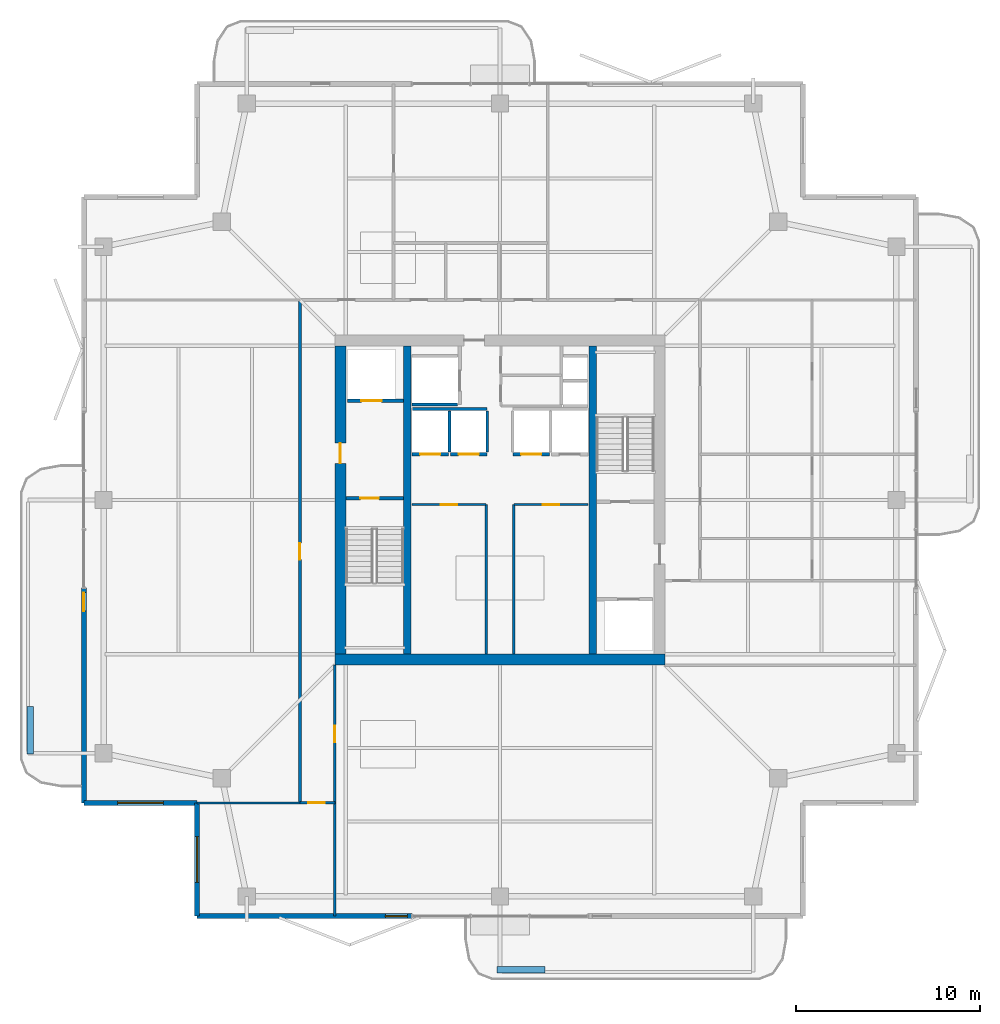
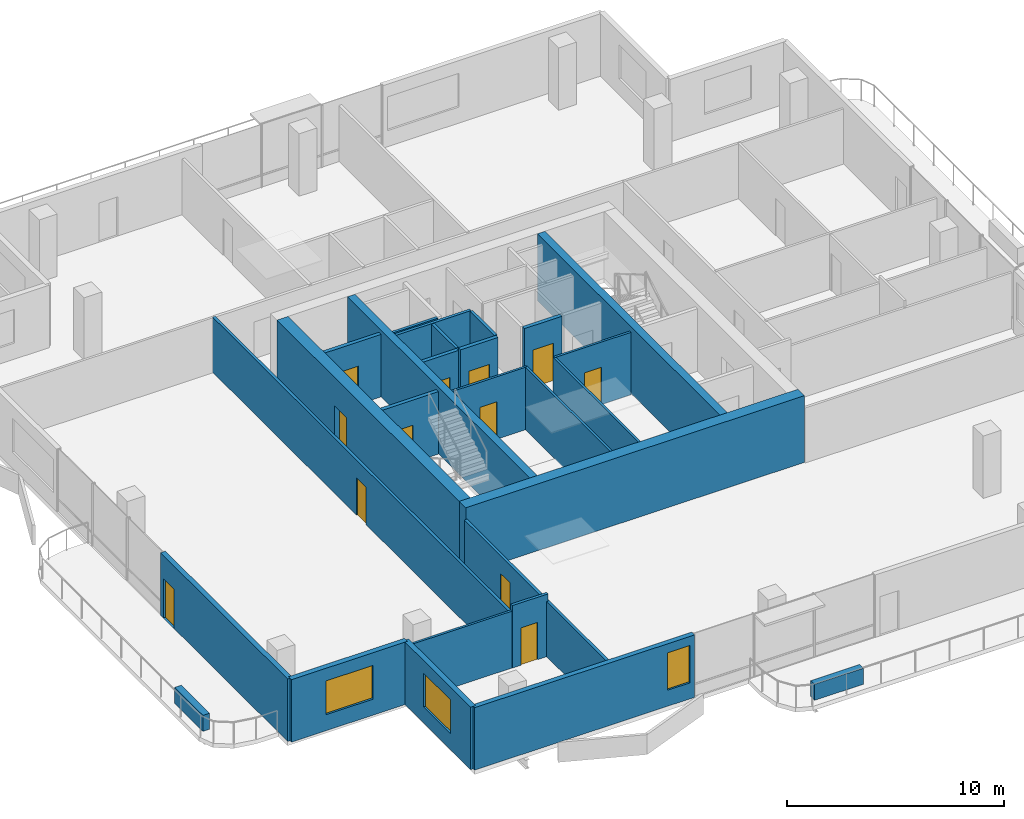
# One storey, part 12 of 18: 27 walls, 12 doors, 3 windows, 15 openings.
"""IFC4 building model written with IfcOpenShell, lengths in metres."""

from ifc_helpers import new_model, si_unit, direction, frame, frame_2d, origin, place, context, subcontext, project, spatial, rectangle, extrude, material, layer, layer_set, type_object, element, fill, save


model = new_model("IFC4")

# Units and contexts
model_context = context("Model", 3, precision=1e-05, world=origin(), true_north=direction((0.0, 1.0)))
body_context = subcontext(model_context, "Body", "Model", "MODEL_VIEW")
ifc_project = project(units=[si_unit("LENGTHUNIT", "METRE"), si_unit("AREAUNIT", "SQUARE_METRE"), si_unit("VOLUMEUNIT", "CUBIC_METRE"), si_unit("PLANEANGLEUNIT", "RADIAN"), si_unit("MASSUNIT", "GRAM", prefix="KILO")], contexts=[model_context])

# Site, building, storey
site_placement = place(None, origin())
site = spatial("IfcSite", under=ifc_project, at=site_placement, CompositionType="ELEMENT")
building_placement = place(site_placement, origin())
building = spatial("IfcBuilding", under=site, at=building_placement, Name="Belovzor Exchange Tower", CompositionType="ELEMENT")
storey_placement = place(building_placement, frame((0.0, 0.0, 318.0)))
storey = spatial("IfcBuildingStorey", under=building, at=storey_placement, Name="L79", CompositionType="ELEMENT", Elevation=318.0)

# Wall
ifc_material_1 = material(Name="Acoustic Plasterboard on Galvanised Studs", Category="gypsum")
ifc_layer_1 = layer(ifc_material_1, 0.1201171875)
ifc_layer_set_1 = layer_set([ifc_layer_1], Name="Acoustic Plasterboard on Galvanised Studs")
wall_type_1 = type_object("IfcWallType", Name="Acoustic Double-Stud Partition Wall 120", PredefinedType="PARTITIONING", material=ifc_layer_set_1)
wall_1_placement = place(storey_placement, frame((12.300048828125, 12.300048828125, 0.0), z_axis=(0.0, 0.0, 1.0), x_axis=(1.0, 0.0, 0.0)))
element("IfcWall", 1, at=wall_1_placement, inside=storey, type_object=wall_type_1, Name="W-P120 Partition Wall W-L79-SWS", PredefinedType="PARTITIONING", context=body_context, shape_type="SweptSolid", body=[
    extrude(rectangle(XDim=5.599853515625, YDim=0.1201171875, at=frame_2d((2.7998046875, 0.0))), origin(), (0.0, 0.0, 1.0), 3.195068359375),
])

# Wall, opening, door
ifc_material_2 = material(Name="Fire-Rated Plasterboard on Galvanised Studs", Category="gypsum")
ifc_layer_2 = layer(ifc_material_2, 0.1201171875)
ifc_layer_set_2 = layer_set([ifc_layer_2], Name="Fire-Rated Plasterboard on Galvanised Studs")
wall_type_2 = type_object("IfcWallType", Name="Fire-Rated Double-Stud Partition Wall 120", PredefinedType="PARTITIONING", material=ifc_layer_set_2)
wall_2_placement = place(storey_placement, frame((24.0, 28.550048828125, 0.0), z_axis=(0.0, 0.0, 1.0), x_axis=(1.0, 0.0, 0.0)))
wall_2 = element("IfcWall", 2, at=wall_2_placement, inside=storey, type_object=wall_type_2, Name="W-P120F Partition Wall W-CRWB-L79-N", PredefinedType="PARTITIONING", context=body_context, shape_type="SweptSolid", body=[
    extrude(rectangle(XDim=4.050048828125, YDim=0.1201171875, at=frame_2d((2.02490234375, 0.0))), origin(), (0.0, 0.0, 1.0), 3.510009765625),
])
opening_1_placement = place(wall_2_placement, frame((1.574951171875, 0.0, 0.0)))
opening_1 = element("IfcOpeningElement", 3, at=opening_1_placement, cuts=wall_2, Name="Opening D-FD60-090", PredefinedType="OPENING", context=body_context, shape_type="SweptSolid", body=[
    extrude(rectangle(XDim=0.89990234375, YDim=2.10009765625, at=frame_2d((0.449951171875, 1.050048828125))), frame((0.0, 0.070068359375, 0.0), z_axis=(0.0, -1.0, 0.0), x_axis=(1.0, 0.0, 0.0)), (0.0, 0.0, 1.0), 0.14013671875),
])
ifc_material_3 = material(Name="Acoustic Timber Fire Leaf", Category="wood")
door_type_1 = type_object("IfcDoorType", Name="Core Service & Restroom Fire Door 900x2100", OperationType="NOTDEFINED", PredefinedType="DOOR", material=ifc_material_3)
door_1_placement = place(opening_1_placement, origin())
door_1 = element("IfcDoor", 4, at=door_1_placement, inside=storey, type_object=door_type_1, Name="D-FD60-090 Core Service & Restroom Fire Door 900x2100", OperationType="SINGLE_SWING_LEFT", OverallHeight=2.10009765625, OverallWidth=0.89990234375, PredefinedType="DOOR", context=body_context, shape_type="SweptSolid", body=[
    extrude(rectangle(XDim=0.89990234375, YDim=2.10009765625, at=frame_2d((0.449951171875, 1.050048828125))), frame((0.0, 0.02490234375, 0.0), z_axis=(0.0, -1.0, 0.0), x_axis=(1.0, 0.0, 0.0)), (0.0, 0.0, 1.0), 0.050048828125),
])
fill(opening_1, door_1)

# Wall
wall_3_placement = place(storey_placement, frame((28.050048828125, 20.39990234375, 0.0), z_axis=(0.0, 0.0, 1.0), x_axis=(0.0, 1.0, 0.0)))
element("IfcWall", 5, at=wall_3_placement, inside=storey, type_object=wall_type_2, Name="W-P120F Partition Wall W-CRWB-L79-E", PredefinedType="PARTITIONING", context=body_context, shape_type="SweptSolid", body=[
    extrude(rectangle(XDim=8.150146484375, YDim=0.1201171875, at=frame_2d((4.0751953125, 0.0))), origin(), (0.0, 0.0, 1.0), 3.510009765625),
])

# Wall, opening, door
wall_4_placement = place(storey_placement, frame((29.550048828125, 28.550048828125, 0.0), z_axis=(0.0, 0.0, 1.0), x_axis=(1.0, 0.0, 0.0)))
wall_4 = element("IfcWall", 6, at=wall_4_placement, inside=storey, type_object=wall_type_2, Name="W-P120F Partition Wall W-CREB-L79-N", PredefinedType="PARTITIONING", context=body_context, shape_type="SweptSolid", body=[
    extrude(rectangle(XDim=4.050048828125, YDim=0.1201171875, at=frame_2d((2.02490234375, 0.0))), origin(), (0.0, 0.0, 1.0), 3.510009765625),
])
opening_2_placement = place(wall_4_placement, frame((1.574951171875, 0.0, 0.0)))
opening_2 = element("IfcOpeningElement", 7, at=opening_2_placement, cuts=wall_4, Name="Opening D-FD60-090", PredefinedType="OPENING", context=body_context, shape_type="SweptSolid", body=[
    extrude(rectangle(XDim=0.89990234375, YDim=2.10009765625, at=frame_2d((0.449951171875, 1.050048828125))), frame((0.0, 0.070068359375, 0.0), z_axis=(0.0, -1.0, 0.0), x_axis=(1.0, 0.0, 0.0)), (0.0, 0.0, 1.0), 0.14013671875),
])
door_2_placement = place(opening_2_placement, origin())
door_2 = element("IfcDoor", 8, at=door_2_placement, inside=storey, type_object=door_type_1, Name="D-FD60-090 Core Service & Restroom Fire Door 900x2100", OperationType="SINGLE_SWING_RIGHT", OverallHeight=2.10009765625, OverallWidth=0.89990234375, PredefinedType="DOOR", context=body_context, shape_type="SweptSolid", body=[
    extrude(rectangle(XDim=0.89990234375, YDim=2.10009765625, at=frame_2d((0.449951171875, 1.050048828125))), frame((0.0, 0.02490234375, 0.0), z_axis=(0.0, -1.0, 0.0), x_axis=(1.0, 0.0, 0.0)), (0.0, 0.0, 1.0), 0.050048828125),
])
fill(opening_2, door_2)

# Wall
wall_5_placement = place(storey_placement, frame((29.550048828125, 20.39990234375, 0.0), z_axis=(0.0, 0.0, 1.0), x_axis=(0.0, 1.0, 0.0)))
element("IfcWall", 9, at=wall_5_placement, inside=storey, type_object=wall_type_2, Name="W-P120F Partition Wall W-CREB-L79-W", PredefinedType="PARTITIONING", context=body_context, shape_type="SweptSolid", body=[
    extrude(rectangle(XDim=8.150146484375, YDim=0.1201171875, at=frame_2d((4.0751953125, 0.0))), origin(), (0.0, 0.0, 1.0), 3.510009765625),
])

# Wall, opening, door
ifc_material_4 = material(Name="Fire-Rated Gypsum Block and Mineral Wool", Category="gypsum")
ifc_layer_3 = layer(ifc_material_4, 0.14990234375)
ifc_layer_set_3 = layer_set([ifc_layer_3], Name="Fire-Rated Gypsum Block and Mineral Wool")
wall_type_3 = type_object("IfcWallType", Name="Fire-Rated Gypsum Block Corridor Wall 150", PredefinedType="PARTITIONING", material=ifc_layer_set_3)
wall_6_placement = place(storey_placement, frame((17.89990234375, 12.300048828125, 0.0), z_axis=(0.0, 0.0, 1.0), x_axis=(1.0, 0.0, 0.0)))
wall_6 = element("IfcWall", 10, at=wall_6_placement, inside=storey, type_object=wall_type_3, Name="W-P150 Partition Wall W-L79-CW-END", PredefinedType="PARTITIONING", context=body_context, shape_type="SweptSolid", body=[
    extrude(rectangle(XDim=1.900146484375, YDim=0.14990234375, at=frame_2d((0.9501953125, 0.0))), origin(), (0.0, 0.0, 1.0), 3.510009765625),
])
opening_3_placement = place(wall_6_placement, frame((0.449951171875, 0.0, 0.0)))
opening_3 = element("IfcOpeningElement", 11, at=opening_3_placement, cuts=wall_6, Name="Opening D-FD60-090", PredefinedType="OPENING", context=body_context, shape_type="SweptSolid", body=[
    extrude(rectangle(XDim=0.89990234375, YDim=2.10009765625, at=frame_2d((0.449951171875, 1.050048828125))), frame((0.0, 0.0849609375, 0.0), z_axis=(0.0, -1.0, 0.0), x_axis=(1.0, 0.0, 0.0)), (0.0, 0.0, 1.0), 0.169921875),
])
door_3_placement = place(opening_3_placement, origin())
door_3 = element("IfcDoor", 12, at=door_3_placement, inside=storey, type_object=door_type_1, Name="D-FD60-090 Core Service & Restroom Fire Door 900x2100", OperationType="SINGLE_SWING_LEFT", OverallHeight=2.10009765625, OverallWidth=0.89990234375, PredefinedType="DOOR", context=body_context, shape_type="SweptSolid", body=[
    extrude(rectangle(XDim=0.89990234375, YDim=2.10009765625, at=frame_2d((0.449951171875, 1.050048828125))), frame((0.0, 0.02490234375, 0.0), z_axis=(0.0, -1.0, 0.0), x_axis=(1.0, 0.0, 0.0)), (0.0, 0.0, 1.0), 0.050048828125),
])
fill(opening_3, door_3)

wall_7_placement = place(storey_placement, frame((19.800048828125, 6.1298828125, 0.0), z_axis=(0.0, 0.0, 1.0), x_axis=(0.0, 1.0, 0.0)))
wall_7 = element("IfcWall", 13, at=wall_7_placement, inside=storey, type_object=wall_type_3, Name="W-P150 Partition Wall W-L79-CW-E", PredefinedType="PARTITIONING", context=body_context, shape_type="SweptSolid", body=[
    extrude(rectangle(XDim=13.670166015625, YDim=0.14990234375, at=frame_2d((6.8349609375, 0.0))), origin(), (0.0, 0.0, 1.0), 3.094970703125),
])
opening_4_placement = place(wall_7_placement, frame((9.469970703125, 0.0, 0.0)))
opening_4 = element("IfcOpeningElement", 14, at=opening_4_placement, cuts=wall_7, Name="Opening D-FD60-090", PredefinedType="OPENING", context=body_context, shape_type="SweptSolid", body=[
    extrude(rectangle(XDim=0.89990234375, YDim=2.10009765625, at=frame_2d((0.449951171875, 1.050048828125))), frame((0.0, 0.0849609375, 0.0), z_axis=(0.0, -1.0, 0.0), x_axis=(1.0, 0.0, 0.0)), (0.0, 0.0, 1.0), 0.169921875),
])
door_4_placement = place(opening_4_placement, origin())
door_4 = element("IfcDoor", 15, at=door_4_placement, inside=storey, type_object=door_type_1, Name="D-FD60-090 Core Service & Restroom Fire Door 900x2100", OperationType="SINGLE_SWING_RIGHT", OverallHeight=2.10009765625, OverallWidth=0.89990234375, PredefinedType="DOOR", context=body_context, shape_type="SweptSolid", body=[
    extrude(rectangle(XDim=0.89990234375, YDim=2.10009765625, at=frame_2d((0.449951171875, 1.050048828125))), frame((0.0, 0.02490234375, 0.0), z_axis=(0.0, -1.0, 0.0), x_axis=(1.0, 0.0, 0.0)), (0.0, 0.0, 1.0), 0.050048828125),
])
fill(opening_4, door_4)

wall_8_placement = place(storey_placement, frame((17.89990234375, 12.300048828125, 0.0), z_axis=(0.0, 0.0, 1.0), x_axis=(0.0, 1.0, 0.0)))
wall_8 = element("IfcWall", 16, at=wall_8_placement, inside=storey, type_object=wall_type_3, Name="W-P150 Partition Wall W-L79-CW", PredefinedType="PARTITIONING", context=body_context, shape_type="SweptSolid", body=[
    extrude(rectangle(XDim=27.39990234375, YDim=0.14990234375, at=frame_2d((13.699951171875, 0.0))), origin(), (0.0, 0.0, 1.0), 3.094970703125),
])
opening_5_placement = place(wall_8_placement, frame((13.25, 0.0, 0.0)))
opening_5 = element("IfcOpeningElement", 17, at=opening_5_placement, cuts=wall_8, Name="Opening D-INT-090", PredefinedType="OPENING", context=body_context, shape_type="SweptSolid", body=[
    extrude(rectangle(XDim=0.89990234375, YDim=2.10009765625, at=frame_2d((0.449951171875, 1.050048828125))), frame((0.0, 0.0849609375, 0.0), z_axis=(0.0, -1.0, 0.0), x_axis=(1.0, 0.0, 0.0)), (0.0, 0.0, 1.0), 0.169921875),
])
ifc_material_5 = material(Name="Veneered Hardwood Acoustic Leaf", Category="wood")
door_type_2 = type_object("IfcDoorType", Name="Trading Suite Acoustic Single Door 900x2100", OperationType="NOTDEFINED", PredefinedType="DOOR", material=ifc_material_5)
door_5_placement = place(opening_5_placement, origin())
door_5 = element("IfcDoor", 18, at=door_5_placement, inside=storey, type_object=door_type_2, Name="D-INT-090 Trading Suite Acoustic Single Door 900x2100", OperationType="SINGLE_SWING_RIGHT", OverallHeight=2.10009765625, OverallWidth=0.89990234375, PredefinedType="DOOR", context=body_context, shape_type="SweptSolid", body=[
    extrude(rectangle(XDim=0.89990234375, YDim=2.10009765625, at=frame_2d((0.449951171875, 1.050048828125))), frame((0.0, 0.02490234375, 0.0), z_axis=(0.0, -1.0, 0.0), x_axis=(1.0, 0.0, 0.0)), (0.0, 0.0, 1.0), 0.050048828125),
])
fill(opening_5, door_5)

# Wall, opening, window
ifc_material_6 = material(Name="Precast concrete C40/50", Category="concrete")
ifc_layer_4 = layer(ifc_material_6, 0.280029296875)
ifc_layer_set_4 = layer_set([ifc_layer_4], Name="Precast concrete C40/50")
wall_type_4 = type_object("IfcWallType", Name="Precast Concrete Notched Corner Frame Wall 280", PredefinedType="SOLIDWALL", material=ifc_layer_set_4)
wall_9_placement = place(storey_placement, frame((12.300048828125, 6.1298828125, 0.0), z_axis=(0.0, 0.0, 1.0), x_axis=(0.0, 1.0, 0.0)))
wall_9 = element("IfcWall", 19, at=wall_9_placement, inside=storey, type_object=wall_type_4, Name="W-CRN280 Precast Concrete Notched Corner Frame Wall 280 L79", PredefinedType="SOLIDWALL", context=body_context, shape_type="SweptSolid", body=[
    extrude(rectangle(XDim=6.170166015625, YDim=0.280029296875, at=frame_2d((3.0849609375, 0.0))), origin(), (0.0, 0.0, 1.0), 3.510009765625),
])
opening_6_placement = place(wall_9_placement, frame((1.8349609375, 0.0, 0.89990234375)))
opening_6 = element("IfcOpeningElement", 20, at=opening_6_placement, cuts=wall_9, Name="Opening WN-CRN250", PredefinedType="OPENING", context=body_context, shape_type="SweptSolid", body=[
    extrude(rectangle(XDim=2.5, YDim=1.89990234375, at=frame_2d((1.25, 0.949951171875))), frame((0.0, 0.14990234375, 0.0), z_axis=(0.0, -1.0, 0.0), x_axis=(1.0, 0.0, 0.0)), (0.0, 0.0, 1.0), 0.300048828125),
])
ifc_material_7 = material(Name="Thermally Broken Aluminium and Triple Glazing", Category="aluminium")
window_type_1 = type_object("IfcWindowType", Name="Streamline Moderne Corner Wrap Ribbon Window 2500x1900", PartitioningType="SINGLE_PANEL", PredefinedType="WINDOW", material=ifc_material_7)
window_1_placement = place(opening_6_placement, origin())
window_1 = element("IfcWindow", 21, at=window_1_placement, inside=storey, type_object=window_type_1, Name="WN-CRN250 Streamline Moderne Corner Wrap Ribbon Window 2500x1900", OverallHeight=1.89990234375, OverallWidth=2.5, PartitioningType="SINGLE_PANEL", PredefinedType="WINDOW", context=body_context, shape_type="SweptSolid", body=[
    extrude(rectangle(XDim=2.5, YDim=1.89990234375, at=frame_2d((1.25, 0.949951171875))), frame((0.0, 0.030029296875, 0.0), z_axis=(0.0, -1.0, 0.0), x_axis=(1.0, 0.0, 0.0)), (0.0, 0.0, 1.0), 0.06005859375),
])
fill(opening_6, window_1)

wall_10_placement = place(storey_placement, frame((12.300048828125, 12.300048828125, 0.0), z_axis=(0.0, 0.0, 1.0), x_axis=(-1.0, 0.0, 0.0)))
wall_10 = element("IfcWall", 22, at=wall_10_placement, inside=storey, type_object=wall_type_4, Name="W-CRN280 Precast Concrete Notched Corner Frame Wall 280 L79", PredefinedType="SOLIDWALL", context=body_context, shape_type="SweptSolid", body=[
    extrude(rectangle(XDim=6.170166015625, YDim=0.280029296875, at=frame_2d((3.0849609375, 0.0))), origin(), (0.0, 0.0, 1.0), 3.510009765625),
])
opening_7_placement = place(wall_10_placement, frame((1.8349609375, 0.0, 0.89990234375)))
opening_7 = element("IfcOpeningElement", 23, at=opening_7_placement, cuts=wall_10, Name="Opening WN-CRN250", PredefinedType="OPENING", context=body_context, shape_type="SweptSolid", body=[
    extrude(rectangle(XDim=2.5, YDim=1.89990234375, at=frame_2d((1.25, 0.949951171875))), frame((0.0, 0.14990234375, 0.0), z_axis=(0.0, -1.0, 0.0), x_axis=(1.0, 0.0, 0.0)), (0.0, 0.0, 1.0), 0.300048828125),
])
window_2_placement = place(opening_7_placement, origin())
window_2 = element("IfcWindow", 24, at=window_2_placement, inside=storey, type_object=window_type_1, Name="WN-CRN250 Streamline Moderne Corner Wrap Ribbon Window 2500x1900", OverallHeight=1.89990234375, OverallWidth=2.5, PartitioningType="SINGLE_PANEL", PredefinedType="WINDOW", context=body_context, shape_type="SweptSolid", body=[
    extrude(rectangle(XDim=2.5, YDim=1.89990234375, at=frame_2d((1.25, 0.949951171875))), frame((0.0, 0.030029296875, 0.0), z_axis=(0.0, -1.0, 0.0), x_axis=(1.0, 0.0, 0.0)), (0.0, 0.0, 1.0), 0.06005859375),
])
fill(opening_7, window_2)

ifc_material_8 = material(Name="Precast concrete C40/50", Category="concrete")
ifc_layer_5 = layer(ifc_material_8, 0.260009765625)
ifc_layer_set_5 = layer_set([ifc_layer_5], Name="Precast concrete C40/50")
wall_type_5 = type_object("IfcWallType", Name="Precast Concrete Perimeter Loggia Frame Wall 260", PredefinedType="SOLIDWALL", material=ifc_layer_set_5)
wall_11_placement = place(storey_placement, frame((24.0, 6.1298828125, 0.0), z_axis=(0.0, 0.0, 1.0), x_axis=(-1.0, 0.0, 0.0)))
wall_11 = element("IfcWall", 25, at=wall_11_placement, inside=storey, type_object=wall_type_5, Name="W-EXT260 Precast Concrete Perimeter Loggia Frame Wall 260 L79", PredefinedType="SOLIDWALL", context=body_context, shape_type="SweptSolid", body=[
    extrude(rectangle(XDim=11.699951171875, YDim=0.260009765625, at=frame_2d((5.85009765625, 0.0))), origin(), (0.0, 0.0, 1.0), 3.510009765625),
])
opening_8_placement = place(wall_11_placement, frame((0.25, 0.0, 0.89990234375)))
opening_8 = element("IfcOpeningElement", 26, at=opening_8_placement, cuts=wall_11, Name="Opening WN-CRN120", PredefinedType="OPENING", context=body_context, shape_type="SweptSolid", body=[
    extrude(rectangle(XDim=1.199951171875, YDim=2.10009765625, at=frame_2d((0.60009765625, 1.050048828125))), frame((0.0, 0.139892578125, 0.0), z_axis=(0.0, -1.0, 0.0), x_axis=(1.0, 0.0, 0.0)), (0.0, 0.0, 1.0), 0.280029296875),
])
ifc_material_9 = material(Name="Thermally Broken Aluminium and Triple Glazing", Category="aluminium")
window_type_2 = type_object("IfcWindowType", Name="Streamline Notched Corner Window 1200x2100", PartitioningType="SINGLE_PANEL", PredefinedType="WINDOW", material=ifc_material_9)
window_3_placement = place(opening_8_placement, origin())
window_3 = element("IfcWindow", 27, at=window_3_placement, inside=storey, type_object=window_type_2, Name="WN-CRN120 Streamline Notched Corner Window 1200x2100", OverallHeight=2.10009765625, OverallWidth=1.199951171875, PartitioningType="SINGLE_PANEL", PredefinedType="WINDOW", context=body_context, shape_type="SweptSolid", body=[
    extrude(rectangle(XDim=1.199951171875, YDim=2.10009765625, at=frame_2d((0.60009765625, 1.050048828125))), frame((0.0, 0.030029296875, 0.0), z_axis=(0.0, -1.0, 0.0), x_axis=(1.0, 0.0, 0.0)), (0.0, 0.0, 1.0), 0.06005859375),
])
fill(opening_8, window_3)

# Wall, opening, door
wall_12_placement = place(storey_placement, frame((6.1298828125, 12.300048828125, 0.0), z_axis=(0.0, 0.0, 1.0), x_axis=(0.0, 1.0, 0.0)))
wall_12 = element("IfcWall", 28, at=wall_12_placement, inside=storey, type_object=wall_type_5, Name="W-EXT260 Precast Concrete Perimeter Loggia Frame Wall 260 L79", PredefinedType="SOLIDWALL", context=body_context, shape_type="SweptSolid", body=[
    extrude(rectangle(XDim=11.699951171875, YDim=0.260009765625, at=frame_2d((5.85009765625, 0.0))), origin(), (0.0, 0.0, 1.0), 3.510009765625),
])
opening_9_placement = place(wall_12_placement, frame((10.449951171875, 0.0, 0.0)))
opening_9 = element("IfcOpeningElement", 29, at=opening_9_placement, cuts=wall_12, Name="Opening D-BAL100", PredefinedType="OPENING", context=body_context, shape_type="SweptSolid", body=[
    extrude(rectangle(XDim=1.0, YDim=2.199951171875, at=frame_2d((0.5, 1.10009765625))), frame((0.0, 0.139892578125, 0.0), z_axis=(0.0, -1.0, 0.0), x_axis=(1.0, 0.0, 0.0)), (0.0, 0.0, 1.0), 0.280029296875),
])
ifc_material_10 = material(Name="Thermally Broken Anodised Aluminium and Laminated Glass", Category="aluminium")
door_type_3 = type_object("IfcDoorType", Name="Planted Loggia Terrace Glazed Door 1000x2200", OperationType="SINGLE_SWING_LEFT", PredefinedType="DOOR", material=ifc_material_10)
door_6_placement = place(opening_9_placement, origin())
door_6 = element("IfcDoor", 30, at=door_6_placement, inside=storey, type_object=door_type_3, Name="D-BAL100 Balcony Terrace Door L79 W", OperationType="SINGLE_SWING_RIGHT", OverallHeight=2.199951171875, OverallWidth=1.0, PredefinedType="DOOR", context=body_context, shape_type="SweptSolid", body=[
    extrude(rectangle(XDim=1.0, YDim=2.199951171875, at=frame_2d((0.5, 1.10009765625))), frame((0.0, 0.02490234375, 0.0), z_axis=(0.0, -1.0, 0.0), x_axis=(1.0, 0.0, 0.0)), (0.0, 0.0, 1.0), 0.050048828125),
])
fill(opening_9, door_6)

# Walls
ifc_material_11 = material(Name="Precast concrete C40/50", Category="concrete")
ifc_layer_6 = layer(ifc_material_11, 0.35009765625)
ifc_layer_set_6 = layer_set([ifc_layer_6], Name="Precast concrete C40/50")
wall_type_6 = type_object("IfcWallType", Name="Precast Concrete Structural Tree Planter Trough 350", PredefinedType="PARAPET", material=ifc_layer_set_6)
for number, where, z_axis, x_axis, name in (
    (31, (28.64990234375, 3.199951171875, 0.0), (0.0, 0.0, 1.0), (1.0, 0.0, 0.0), "PT-350 Precast Concrete Structural Tree Planter Trough 350 L79"),
    (32, (3.199951171875, 14.949951171875, 0.0), (0.0, 0.0, 1.0), (0.0, 1.0, 0.0), "PT-350 Precast Concrete Structural Tree Planter Trough 350 L79"),
):
    element("IfcWall", number, at=place(storey_placement, frame(where, z_axis=z_axis, x_axis=x_axis)), inside=storey, type_object=wall_type_6, Name=name, PredefinedType="PARAPET", context=body_context, shape_type="SweptSolid", body=[
        extrude(rectangle(XDim=2.60009765625, YDim=0.35009765625, at=frame_2d((1.300048828125, 0.0))), origin(), (0.0, 0.0, 1.0), 0.89990234375),
    ])
ifc_material_12 = material(Name="Concrete C50/60", Category="concrete")
ifc_layer_7 = layer(ifc_material_12, 0.39990234375)
ifc_layer_set_7 = layer_set([ifc_layer_7], Name="Concrete C50/60")
wall_type_7 = type_object("IfcWallType", Name="Reinforced Concrete Core Internal Web Wall 400", PredefinedType="SHEAR", material=ifc_layer_set_7)
for number, where, z_axis, x_axis, name in (
    (33, (23.75, 20.39990234375, 0.0), (0.0, 0.0, 1.0), (0.0, 1.0, 0.0), "CW-W040 Core Internal Web Wall L79 WL"),
    (34, (33.85009765625, 20.39990234375, 0.0), (0.0, 0.0, 1.0), (0.0, 1.0, 0.0), "CW-W040 Core Internal Web Wall L79 ER"),
):
    element("IfcWall", number, at=place(storey_placement, frame(where, z_axis=z_axis, x_axis=x_axis)), inside=storey, type_object=wall_type_7, Name=name, PredefinedType="SHEAR", context=body_context, shape_type="SweptSolid", body=[
        extrude(rectangle(XDim=16.800048828125, YDim=0.39990234375, at=frame_2d((8.39990234375, 0.0))), origin(), (0.0, 0.0, 1.0), 3.75),
    ])
ifc_material_13 = material(Name="Concrete C50/60", Category="concrete")
ifc_layer_8 = layer(ifc_material_13, 0.14990234375)
ifc_layer_set_8 = layer_set([ifc_layer_8], Name="Concrete C50/60")
wall_type_8 = type_object("IfcWallType", Name="Reinforced Concrete Core Riser Shear Wall 150", PredefinedType="SHEAR", material=ifc_layer_set_8)
wall_13_placement = place(storey_placement, frame((24.0, 34.0, 0.0), z_axis=(0.0, 0.0, 1.0), x_axis=(1.0, 0.0, 0.0)))
element("IfcWall", 35, at=wall_13_placement, inside=storey, type_object=wall_type_8, Name="W-C150S Core Shaft Wall W-SH-L79-SL-01S", PredefinedType="SHEAR", context=body_context, shape_type="SweptSolid", body=[
    extrude(rectangle(XDim=2.47998046875, YDim=0.14990234375, at=frame_2d((1.239990234375, 0.0))), origin(), (0.0, 0.0, 1.0), 3.510009765625),
])
wall_14_placement = place(storey_placement, frame((24.02001953125, 33.760009765625, 0.0), z_axis=(0.0, 0.0, 1.0), x_axis=(1.0, 0.0, 0.0)))
element("IfcWall", 36, at=wall_14_placement, inside=storey, type_object=wall_type_8, Name="W-C150S Core Shaft Wall W-SHB-L79-PLH-NW", PredefinedType="SHEAR", context=body_context, shape_type="SweptSolid", body=[
    extrude(rectangle(XDim=4.080078125, YDim=0.14990234375, at=frame_2d((2.0400390625, 0.0))), origin(), (0.0, 0.0, 1.0), 3.510009765625),
])
for number, where, z_axis, x_axis, name in (
    (37, (26.050048828125, 31.419921875, 0.0), (0.0, 0.0, 1.0), (0.0, 1.0, 0.0), "W-C150S Core Shaft Wall W-SHD-L79-PLH-1"),
    (38, (28.10009765625, 31.419921875, 0.0), (0.0, 0.0, 1.0), (0.0, 1.0, 0.0), "W-C150S Core Shaft Wall W-SHD-L79-PLH-2"),
):
    element("IfcWall", number, at=place(storey_placement, frame(where, z_axis=z_axis, x_axis=x_axis)), inside=storey, type_object=wall_type_8, Name=name, PredefinedType="SHEAR", context=body_context, shape_type="SweptSolid", body=[
        extrude(rectangle(XDim=2.239990234375, YDim=0.14990234375, at=frame_2d((1.1201171875, 0.0))), origin(), (0.0, 0.0, 1.0), 3.510009765625),
    ])

# Wall, opening, door
ifc_material_14 = material(Name="Concrete C50/60", Category="concrete")
ifc_layer_9 = layer(ifc_material_14, 0.199951171875)
ifc_layer_set_9 = layer_set([ifc_layer_9], Name="Concrete C50/60")
wall_type_9 = type_object("IfcWallType", Name="Reinforced Concrete Core Shaft Shear Wall 200", PredefinedType="SHEAR", material=ifc_layer_set_9)
wall_15_placement = place(storey_placement, frame((20.39990234375, 28.89990234375, 0.0), z_axis=(0.0, 0.0, 1.0), x_axis=(1.0, 0.0, 0.0)))
wall_15 = element("IfcWall", 39, at=wall_15_placement, inside=storey, type_object=wall_type_9, Name="W-C200S Core Shaft Wall W-CORE-L79-FFLW1", PredefinedType="SHEAR", context=body_context, shape_type="SweptSolid", body=[
    extrude(rectangle(XDim=3.150146484375, YDim=0.199951171875, at=frame_2d((1.5751953125, 0.0))), origin(), (0.0, 0.0, 1.0), 3.510009765625),
])
opening_10_placement = place(wall_15_placement, frame((0.800048828125, 0.0, 0.0)))
opening_10 = element("IfcOpeningElement", 40, at=opening_10_placement, cuts=wall_15, Name="Opening D-FD90-100", PredefinedType="OPENING", context=body_context, shape_type="SweptSolid", body=[
    extrude(rectangle(XDim=1.0, YDim=2.10009765625, at=frame_2d((0.5, 1.050048828125))), frame((0.0, 0.10986328125, 0.0), z_axis=(0.0, -1.0, 0.0), x_axis=(1.0, 0.0, 0.0)), (0.0, 0.0, 1.0), 0.219970703125),
])
ifc_material_15 = material(Name="Fire-Rated Galvanised Steel Leaf", Category="steel")
door_type_4 = type_object("IfcDoorType", Name="Protected Stairwell Single Fire Door 1000x2100", OperationType="NOTDEFINED", PredefinedType="DOOR", material=ifc_material_15)
door_7_placement = place(opening_10_placement, origin())
door_7 = element("IfcDoor", 41, at=door_7_placement, inside=storey, type_object=door_type_4, Name="D-FD90-100 Protected Stairwell Single Fire Door 1000x2100", OperationType="SINGLE_SWING_RIGHT", OverallHeight=2.10009765625, OverallWidth=1.0, PredefinedType="DOOR", context=body_context, shape_type="SweptSolid", body=[
    extrude(rectangle(XDim=1.0, YDim=2.10009765625, at=frame_2d((0.5, 1.050048828125))), frame((0.0, 0.02490234375, 0.0), z_axis=(0.0, -1.0, 0.0), x_axis=(1.0, 0.0, 0.0)), (0.0, 0.0, 1.0), 0.050048828125),
])
fill(opening_10, door_7)

wall_16_placement = place(storey_placement, frame((20.5, 34.199951171875, 0.0), z_axis=(0.0, 0.0, 1.0), x_axis=(1.0, 0.0, 0.0)))
wall_16 = element("IfcWall", 42, at=wall_16_placement, inside=storey, type_object=wall_type_9, Name="W-C200S Core Shaft Wall W-SH-L79-FFL-01", PredefinedType="SHEAR", context=body_context, shape_type="SweptSolid", body=[
    extrude(rectangle(XDim=3.050048828125, YDim=0.199951171875, at=frame_2d((1.52490234375, 0.0))), origin(), (0.0, 0.0, 1.0), 3.510009765625),
])
opening_11_placement = place(wall_16_placement, frame((0.75, 0.0, 0.0)))
opening_11 = element("IfcOpeningElement", 43, at=opening_11_placement, cuts=wall_16, Name="Opening LD-110", PredefinedType="OPENING", context=body_context, shape_type="SweptSolid", body=[
    extrude(rectangle(XDim=1.10009765625, YDim=2.14990234375, at=frame_2d((0.550048828125, 1.074951171875))), frame((0.0, 0.10986328125, 0.0), z_axis=(0.0, -1.0, 0.0), x_axis=(1.0, 0.0, 0.0)), (0.0, 0.0, 1.0), 0.219970703125),
])
ifc_material_16 = material(Name="Stainless Steel Grade 304", Category="steel")
door_type_5 = type_object("IfcDoorType", Name="Automated Stainless Steel Lift Landing Door 1100x2150", OperationType="SLIDING_TO_RIGHT", PredefinedType="DOOR", material=ifc_material_16)
door_8_placement = place(opening_11_placement, origin())
door_8 = element("IfcDoor", 44, at=door_8_placement, inside=storey, type_object=door_type_5, Name="LD-110 Automated Stainless Steel Lift Landing Door 1100x2150", OperationType="SLIDING_TO_RIGHT", OverallHeight=2.14990234375, OverallWidth=1.10009765625, PredefinedType="DOOR", context=body_context, shape_type="SweptSolid", body=[
    extrude(rectangle(XDim=1.10009765625, YDim=2.14990234375, at=frame_2d((0.550048828125, 1.074951171875))), frame((0.0, 0.02490234375, 0.0), z_axis=(0.0, -1.0, 0.0), x_axis=(1.0, 0.0, 0.0)), (0.0, 0.0, 1.0), 0.050048828125),
])
fill(opening_11, door_8)

wall_17_placement = place(storey_placement, frame((24.0, 31.300048828125, 0.0), z_axis=(0.0, 0.0, 1.0), x_axis=(1.0, 0.0, 0.0)))
wall_17 = element("IfcWall", 45, at=wall_17_placement, inside=storey, type_object=wall_type_9, Name="W-C200S Core Shaft Wall W-SH-L79-PL-H1", PredefinedType="SHEAR", context=body_context, shape_type="SweptSolid", body=[
    extrude(rectangle(XDim=2.0, YDim=0.199951171875, at=frame_2d((1.0, 0.0))), origin(), (0.0, 0.0, 1.0), 3.510009765625),
])
opening_12_placement = place(wall_17_placement, frame((0.449951171875, 0.0, 0.0)))
opening_12 = element("IfcOpeningElement", 46, at=opening_12_placement, cuts=wall_17, Name="Opening LD-110", PredefinedType="OPENING", context=body_context, shape_type="SweptSolid", body=[
    extrude(rectangle(XDim=1.10009765625, YDim=2.14990234375, at=frame_2d((0.550048828125, 1.074951171875))), frame((0.0, 0.10986328125, 0.0), z_axis=(0.0, -1.0, 0.0), x_axis=(1.0, 0.0, 0.0)), (0.0, 0.0, 1.0), 0.219970703125),
])
door_9_placement = place(opening_12_placement, origin())
door_9 = element("IfcDoor", 47, at=door_9_placement, inside=storey, type_object=door_type_5, Name="LD-110 Automated Stainless Steel Lift Landing Door 1100x2150", OperationType="SLIDING_TO_RIGHT", OverallHeight=2.14990234375, OverallWidth=1.10009765625, PredefinedType="DOOR", context=body_context, shape_type="SweptSolid", body=[
    extrude(rectangle(XDim=1.10009765625, YDim=2.14990234375, at=frame_2d((0.550048828125, 1.074951171875))), frame((0.0, 0.02490234375, 0.0), z_axis=(0.0, -1.0, 0.0), x_axis=(1.0, 0.0, 0.0)), (0.0, 0.0, 1.0), 0.050048828125),
])
fill(opening_12, door_9)

wall_18_placement = place(storey_placement, frame((26.10009765625, 31.300048828125, 0.0), z_axis=(0.0, 0.0, 1.0), x_axis=(1.0, 0.0, 0.0)))
wall_18 = element("IfcWall", 48, at=wall_18_placement, inside=storey, type_object=wall_type_9, Name="W-C200S Core Shaft Wall W-SH-L79-PL-H2", PredefinedType="SHEAR", context=body_context, shape_type="SweptSolid", body=[
    extrude(rectangle(XDim=2.0, YDim=0.199951171875, at=frame_2d((1.0, 0.0))), origin(), (0.0, 0.0, 1.0), 3.510009765625),
])
opening_13_placement = place(wall_18_placement, frame((0.449951171875, 0.0, 0.0)))
opening_13 = element("IfcOpeningElement", 49, at=opening_13_placement, cuts=wall_18, Name="Opening LD-110", PredefinedType="OPENING", context=body_context, shape_type="SweptSolid", body=[
    extrude(rectangle(XDim=1.10009765625, YDim=2.14990234375, at=frame_2d((0.550048828125, 1.074951171875))), frame((0.0, 0.10986328125, 0.0), z_axis=(0.0, -1.0, 0.0), x_axis=(1.0, 0.0, 0.0)), (0.0, 0.0, 1.0), 0.219970703125),
])
door_10_placement = place(opening_13_placement, origin())
door_10 = element("IfcDoor", 50, at=door_10_placement, inside=storey, type_object=door_type_5, Name="LD-110 Automated Stainless Steel Lift Landing Door 1100x2150", OperationType="SLIDING_TO_RIGHT", OverallHeight=2.14990234375, OverallWidth=1.10009765625, PredefinedType="DOOR", context=body_context, shape_type="SweptSolid", body=[
    extrude(rectangle(XDim=1.10009765625, YDim=2.14990234375, at=frame_2d((0.550048828125, 1.074951171875))), frame((0.0, 0.02490234375, 0.0), z_axis=(0.0, -1.0, 0.0), x_axis=(1.0, 0.0, 0.0)), (0.0, 0.0, 1.0), 0.050048828125),
])
fill(opening_13, door_10)

wall_19_placement = place(storey_placement, frame((29.5, 31.300048828125, 0.0), z_axis=(0.0, 0.0, 1.0), x_axis=(1.0, 0.0, 0.0)))
wall_19 = element("IfcWall", 51, at=wall_19_placement, inside=storey, type_object=wall_type_9, Name="W-C200S Core Shaft Wall W-SH-L79-PL-H3", PredefinedType="SHEAR", context=body_context, shape_type="SweptSolid", body=[
    extrude(rectangle(XDim=2.0, YDim=0.199951171875, at=frame_2d((1.0, 0.0))), origin(), (0.0, 0.0, 1.0), 3.510009765625),
])
opening_14_placement = place(wall_19_placement, frame((0.449951171875, 0.0, 0.0)))
opening_14 = element("IfcOpeningElement", 52, at=opening_14_placement, cuts=wall_19, Name="Opening LD-110", PredefinedType="OPENING", context=body_context, shape_type="SweptSolid", body=[
    extrude(rectangle(XDim=1.10009765625, YDim=2.14990234375, at=frame_2d((0.550048828125, 1.074951171875))), frame((0.0, 0.10986328125, 0.0), z_axis=(0.0, -1.0, 0.0), x_axis=(1.0, 0.0, 0.0)), (0.0, 0.0, 1.0), 0.219970703125),
])
door_11_placement = place(opening_14_placement, origin())
door_11 = element("IfcDoor", 53, at=door_11_placement, inside=storey, type_object=door_type_5, Name="LD-110 Automated Stainless Steel Lift Landing Door 1100x2150", OperationType="SLIDING_TO_RIGHT", OverallHeight=2.14990234375, OverallWidth=1.10009765625, PredefinedType="DOOR", context=body_context, shape_type="SweptSolid", body=[
    extrude(rectangle(XDim=1.10009765625, YDim=2.14990234375, at=frame_2d((0.550048828125, 1.074951171875))), frame((0.0, 0.02490234375, 0.0), z_axis=(0.0, -1.0, 0.0), x_axis=(1.0, 0.0, 0.0)), (0.0, 0.0, 1.0), 0.050048828125),
])
fill(opening_14, door_11)

# Wall
ifc_material_17 = material(Name="Concrete C50/60", Category="concrete")
ifc_layer_10 = layer(ifc_material_17, 0.60009765625)
ifc_layer_set_10 = layer_set([ifc_layer_10], Name="Concrete C50/60")
wall_type_10 = type_object("IfcWallType", Name="Reinforced Concrete Core Shear Wall 600", PredefinedType="SHEAR", material=ifc_layer_set_10)
wall_20_placement = place(storey_placement, frame((19.800048828125, 20.10009765625, 0.0), z_axis=(0.0, 0.0, 1.0), x_axis=(1.0, 0.0, 0.0)))
element("IfcWall", 54, at=wall_20_placement, inside=storey, type_object=wall_type_10, Name="CW-S060 Core Shear Wall L79 S", PredefinedType="SHEAR", context=body_context, shape_type="SweptSolid", body=[
    extrude(rectangle(XDim=18.0, YDim=0.60009765625, at=frame_2d((9.0, 0.0))), origin(), (0.0, 0.0, 1.0), 3.75),
])

# Wall, opening, door
wall_21_placement = place(storey_placement, frame((20.10009765625, 20.39990234375, 0.0), z_axis=(0.0, 0.0, 1.0), x_axis=(0.0, 1.0, 0.0)))
wall_21 = element("IfcWall", 55, at=wall_21_placement, inside=storey, type_object=wall_type_10, Name="CW-S060 Core Shear Wall L79 W", PredefinedType="SHEAR", context=body_context, shape_type="SweptSolid", body=[
    extrude(rectangle(XDim=16.800048828125, YDim=0.60009765625, at=frame_2d((8.39990234375, 0.0))), origin(), (0.0, 0.0, 1.0), 3.75),
])
opening_15_placement = place(wall_21_placement, frame((10.39990234375, 0.0, 0.0)))
opening_15 = element("IfcOpeningElement", 56, at=opening_15_placement, cuts=wall_21, Name="Opening D-FD90-110", PredefinedType="OPENING", context=body_context, shape_type="SweptSolid", body=[
    extrude(rectangle(XDim=1.10009765625, YDim=2.14990234375, at=frame_2d((0.550048828125, 1.074951171875))), frame((0.0, 0.31005859375, 0.0), z_axis=(0.0, -1.0, 0.0), x_axis=(1.0, 0.0, 0.0)), (0.0, 0.0, 1.0), 0.6201171875),
])
ifc_material_18 = material(Name="Fire-Rated Galvanised Steel Leaf", Category="steel")
door_type_6 = type_object("IfcDoorType", Name="Protected Escape Vestibule Fire Door 1100x2150", OperationType="NOTDEFINED", PredefinedType="DOOR", material=ifc_material_18)
door_12_placement = place(opening_15_placement, origin())
door_12 = element("IfcDoor", 57, at=door_12_placement, inside=storey, type_object=door_type_6, Name="D-FD90-110 Protected Escape Vestibule Fire Door 1100x2150", OperationType="SINGLE_SWING_LEFT", OverallHeight=2.14990234375, OverallWidth=1.10009765625, PredefinedType="DOOR", context=body_context, shape_type="SweptSolid", body=[
    extrude(rectangle(XDim=1.10009765625, YDim=2.14990234375, at=frame_2d((0.550048828125, 1.074951171875))), frame((0.0, 0.02490234375, 0.0), z_axis=(0.0, -1.0, 0.0), x_axis=(1.0, 0.0, 0.0)), (0.0, 0.0, 1.0), 0.050048828125),
])
fill(opening_15, door_12)

save(model, "model.ifc")
